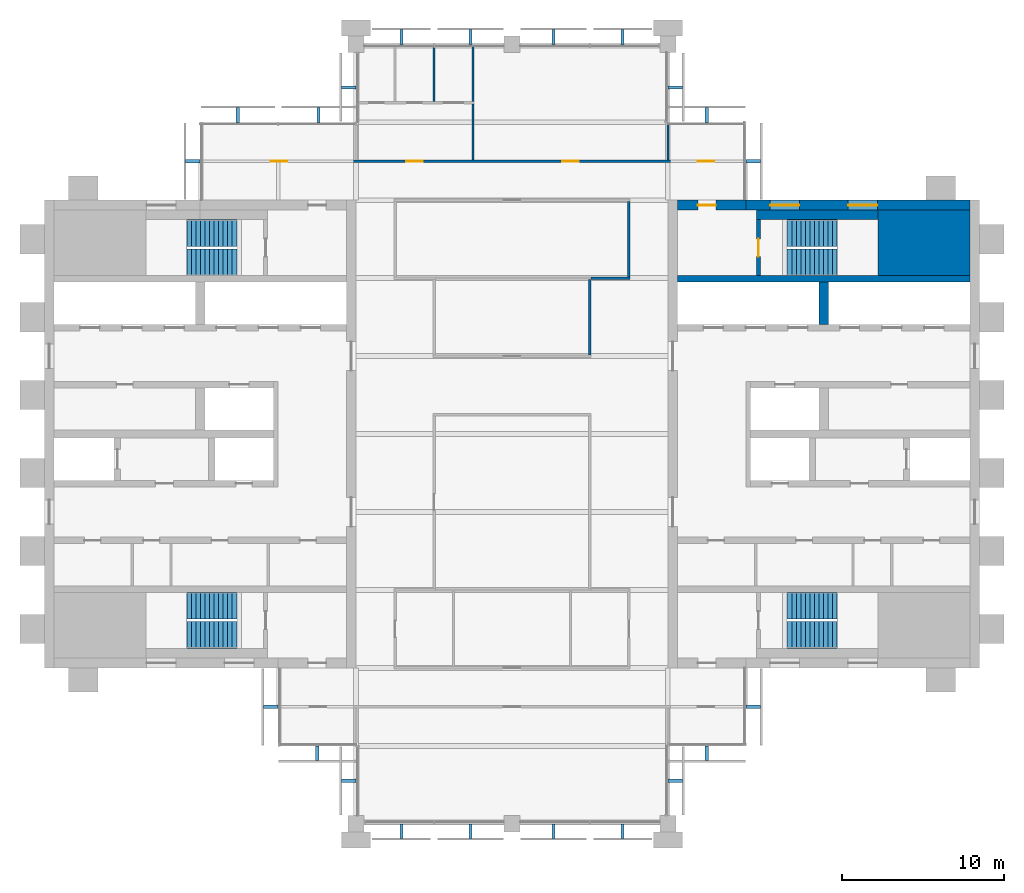
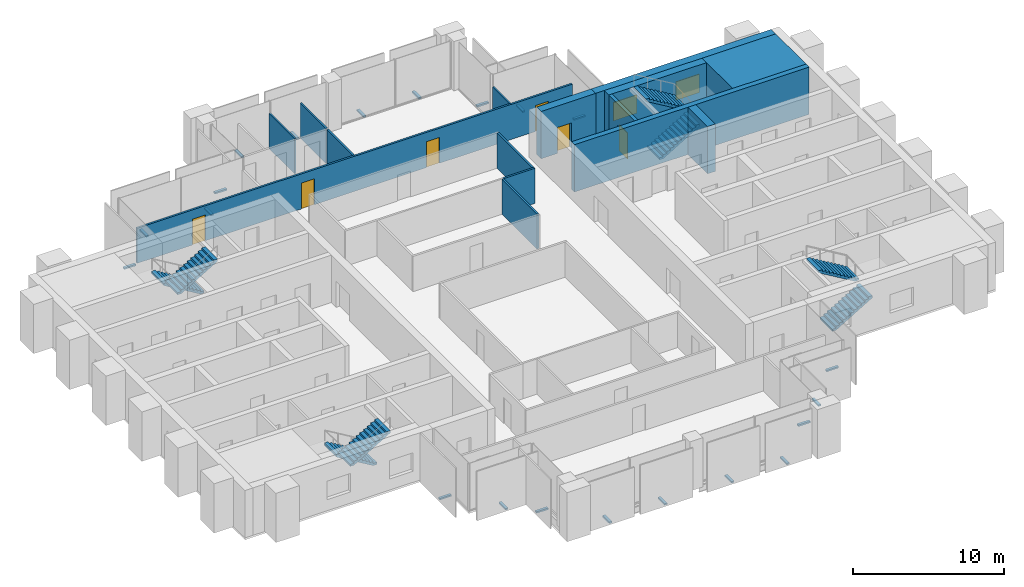
# One storey, part 11 of 12: 21 discrete accessories, 15 walls, 8 stair flights, 6 doors, 2 windows, 8 openings, 4 elements without a shape of their own.
"""IFC4 building model written with IfcOpenShell, lengths in metres."""

from ifc_helpers import new_model, si_unit, direction, frame, frame_2d, origin, origin_2d, place, context, subcontext, project, spatial, polyline, rectangle, outline, extrude, material, layer, layer_set, type_object, element, fill, aggregate, save


model = new_model("IFC4")

# Units and contexts
model_context = context("Model", 3, precision=1e-05, world=origin(), true_north=direction((0.0, 1.0)))
body_context = subcontext(model_context, "Body", "Model", "MODEL_VIEW")
ifc_project = project(units=[si_unit("LENGTHUNIT", "METRE"), si_unit("AREAUNIT", "SQUARE_METRE"), si_unit("VOLUMEUNIT", "CUBIC_METRE"), si_unit("PLANEANGLEUNIT", "RADIAN"), si_unit("MASSUNIT", "GRAM", prefix="KILO")], contexts=[model_context])

# Site, building, storey
site_placement = place(None, origin())
site = spatial("IfcSite", under=ifc_project, at=site_placement, CompositionType="ELEMENT")
building_placement = place(site_placement, origin())
building = spatial("IfcBuilding", under=site, at=building_placement, Name="Baori Bourse Tower", CompositionType="ELEMENT")
storey_placement = place(building_placement, frame((0.0, 0.0, 286.300048828125)))
storey = spatial("IfcBuildingStorey", under=building, at=storey_placement, Name="L62", CompositionType="ELEMENT", Elevation=286.300048828125)

# Wall
ifc_material_1 = material(Name="Concrete f'c 40 MPa", Category="concrete")
wall_type_1 = type_object("IfcWallType", Name="Core corner block f'c 40", PredefinedType="SHEAR", material=ifc_material_1)
wall_1_placement = place(storey_placement, frame((51.35009765625, 35.77490234375, 0.0), z_axis=(0.0, 0.0, 1.0), x_axis=(1.0, 0.0, 0.0)))
element("IfcWall", 1, at=wall_1_placement, inside=storey, type_object=wall_type_1, Name="Core wall E23", PredefinedType="SHEAR", context=body_context, shape_type="SweptSolid", body=[
    extrude(rectangle(XDim=5.64990234375, YDim=4.050048828125, at=frame_2d((2.824951171875, 0.0))), origin(), (0.0, 0.0, 1.0), 3.83984375),
])

# Wall, openings, windows
ifc_material_2 = material(Name="Concrete f'c 40 MPa", Category="concrete")
ifc_layer_1 = layer(ifc_material_2, 0.60009765625)
ifc_layer_set_1 = layer_set([ifc_layer_1], Name="Core wall 600 f'c 40")
wall_type_2 = type_object("IfcWallType", Name="Core wall 600 f'c 40", PredefinedType="SHEAR", material=ifc_layer_set_1)
wall_2_placement = place(storey_placement, frame((43.199951171875, 38.10009765625, 0.0), z_axis=(0.0, 0.0, 1.0), x_axis=(1.0, 0.0, 0.0)))
wall_2 = element("IfcWall", 2, at=wall_2_placement, inside=storey, type_object=wall_type_2, Name="Core wall E26", PredefinedType="SHEAR", context=body_context, shape_type="SweptSolid", body=[
    extrude(rectangle(XDim=13.800048828125, YDim=0.60009765625, at=frame_2d((6.89990234375, 0.0))), origin(), (0.0, 0.0, 1.0), 3.83984375),
])
opening_1_placement = place(wall_2_placement, frame((6.300048828125, 0.0, 0.89990234375)))
opening_1 = element("IfcOpeningElement", 3, at=opening_1_placement, cuts=wall_2, Name="Opening L62-KW205", PredefinedType="OPENING", context=body_context, shape_type="SweptSolid", body=[
    extrude(rectangle(XDim=1.800048828125, YDim=1.5, at=frame_2d((0.89990234375, 0.75))), frame((0.0, 0.31005859375, 0.0), z_axis=(0.0, -1.0, 0.0), x_axis=(1.0, 0.0, 0.0)), (0.0, 0.0, 1.0), 0.6201171875),
])
opening_2_placement = place(wall_2_placement, frame((1.5, 0.0, 0.89990234375)))
opening_2 = element("IfcOpeningElement", 4, at=opening_2_placement, cuts=wall_2, Name="Opening L62-KW206", PredefinedType="OPENING", context=body_context, shape_type="SweptSolid", body=[
    extrude(rectangle(XDim=1.800048828125, YDim=1.5, at=frame_2d((0.89990234375, 0.75))), frame((0.0, 0.31005859375, 0.0), z_axis=(0.0, -1.0, 0.0), x_axis=(1.0, 0.0, 0.0)), (0.0, 0.0, 1.0), 0.6201171875),
])
ifc_material_3 = material(Name="Pale anodised aluminium", Category="aluminium")
window_type = type_object("IfcWindowType", Name="Stair window 1800 x 1500", PartitioningType="SINGLE_PANEL", PredefinedType="WINDOW", material=ifc_material_3)
window_1_placement = place(opening_1_placement, origin())
window_1 = element("IfcWindow", 5, at=window_1_placement, inside=storey, type_object=window_type, Name="Stair window E L62 5", OverallHeight=1.5, OverallWidth=1.800048828125, PartitioningType="SINGLE_PANEL", PredefinedType="WINDOW", context=body_context, shape_type="SweptSolid", body=[
    extrude(rectangle(XDim=1.800048828125, YDim=1.5, at=frame_2d((0.89990234375, 0.75))), frame((0.0, 0.030029296875, 0.0), z_axis=(0.0, -1.0, 0.0), x_axis=(1.0, 0.0, 0.0)), (0.0, 0.0, 1.0), 0.06005859375),
])
fill(opening_1, window_1)
window_2_placement = place(opening_2_placement, origin())
window_2 = element("IfcWindow", 6, at=window_2_placement, inside=storey, type_object=window_type, Name="Stair window E L62 6", OverallHeight=1.5, OverallWidth=1.800048828125, PartitioningType="SINGLE_PANEL", PredefinedType="WINDOW", context=body_context, shape_type="SweptSolid", body=[
    extrude(rectangle(XDim=1.800048828125, YDim=1.5, at=frame_2d((0.89990234375, 0.75))), frame((0.0, 0.030029296875, 0.0), z_axis=(0.0, -1.0, 0.0), x_axis=(1.0, 0.0, 0.0)), (0.0, 0.0, 1.0), 0.06005859375),
])
fill(opening_2, window_2)

# Wall, opening, door
wall_3_placement = place(storey_placement, frame((39.0, 38.10009765625, 0.0), z_axis=(0.0, 0.0, 1.0), x_axis=(1.0, 0.0, 0.0)))
wall_3 = element("IfcWall", 7, at=wall_3_placement, inside=storey, type_object=wall_type_2, Name="Core wall E27", PredefinedType="SHEAR", context=body_context, shape_type="SweptSolid", body=[
    extrude(rectangle(XDim=4.199951171875, YDim=0.60009765625, at=frame_2d((2.10009765625, 0.0))), origin(), (0.0, 0.0, 1.0), 3.83984375),
])
opening_3_placement = place(wall_3_placement, frame((1.25, 0.0, 0.0)))
opening_3 = element("IfcOpeningElement", 8, at=opening_3_placement, cuts=wall_3, Name="Opening L62-D204", PredefinedType="OPENING", context=body_context, shape_type="SweptSolid", body=[
    extrude(rectangle(XDim=1.10009765625, YDim=2.10009765625, at=frame_2d((0.550048828125, 1.050048828125))), frame((0.0, 0.31005859375, 0.0), z_axis=(0.0, -1.0, 0.0), x_axis=(1.0, 0.0, 0.0)), (0.0, 0.0, 1.0), 0.6201171875),
])
ifc_material_4 = material(Name="Painted steel door", Category="steel")
door_type_1 = type_object("IfcDoorType", Name="Stair door 1100", OperationType="SINGLE_SWING_LEFT", PredefinedType="DOOR", material=ifc_material_4)
door_1_placement = place(opening_3_placement, origin())
door_1 = element("IfcDoor", 9, at=door_1_placement, inside=storey, type_object=door_type_1, Name="Stair vestibule door B E L62", OperationType="SINGLE_SWING_LEFT", OverallHeight=2.10009765625, OverallWidth=1.10009765625, PredefinedType="DOOR", context=body_context, shape_type="SweptSolid", body=[
    extrude(rectangle(XDim=1.10009765625, YDim=2.10009765625, at=frame_2d((0.550048828125, 1.050048828125))), frame((0.0, 0.02490234375, 0.0), z_axis=(0.0, -1.0, 0.0), x_axis=(1.0, 0.0, 0.0)), (0.0, 0.0, 1.0), 0.050048828125),
])
fill(opening_3, door_1)

# Wall
ifc_material_5 = material(Name="Gypsum board partition")
ifc_layer_2 = layer(ifc_material_5, 0.14990234375)
ifc_layer_set_2 = layer_set([ifc_layer_2], Name="Corridor partition 150")
wall_type_3 = type_object("IfcWallType", Name="Corridor partition 150", PredefinedType="PARTITIONING", material=ifc_layer_set_2)
wall_4_placement = place(storey_placement, frame((33.675048828125, 33.60009765625, 0.0), z_axis=(0.0, 0.0, 1.0), x_axis=(1.0, 0.0, 0.0)))
element("IfcWall", 10, at=wall_4_placement, inside=storey, type_object=wall_type_3, Name="Partition", PredefinedType="PARTITIONING", context=body_context, shape_type="SweptSolid", body=[
    extrude(rectangle(XDim=2.39990234375, YDim=0.14990234375, at=frame_2d((1.199951171875, 0.0))), origin(), (0.0, 0.0, 1.0), 2.849365234375),
])

# Wall, openings, doors
wall_5_placement = place(storey_placement, frame((9.699951171875, 40.800048828125, 0.0), z_axis=(0.0, 0.0, 1.0), x_axis=(1.0, 0.0, 0.0)))
wall_5 = element("IfcWall", 11, at=wall_5_placement, inside=storey, type_object=wall_type_3, Name="Partition", PredefinedType="PARTITIONING", context=body_context, shape_type="SweptSolid", body=[
    extrude(rectangle(XDim=33.400146484375, YDim=0.14990234375, at=frame_2d((16.7001953125, 0.0))), origin(), (0.0, 0.0, 1.0), 2.849365234375),
])
opening_4_placement = place(wall_5_placement, frame((4.25, 0.0, 0.0)))
opening_4 = element("IfcOpeningElement", 12, at=opening_4_placement, cuts=wall_5, Name="Opening L62-D07", PredefinedType="OPENING", context=body_context, shape_type="SweptSolid", body=[
    extrude(rectangle(XDim=1.0, YDim=2.10009765625, at=frame_2d((0.5, 1.050048828125))), frame((0.0, 0.0849609375, 0.0), z_axis=(0.0, -1.0, 0.0), x_axis=(1.0, 0.0, 0.0)), (0.0, 0.0, 1.0), 0.169921875),
])
opening_5_placement = place(wall_5_placement, frame((12.60009765625, 0.0, 0.0)))
opening_5 = element("IfcOpeningElement", 13, at=opening_5_placement, cuts=wall_5, Name="Opening L62-D08", PredefinedType="OPENING", context=body_context, shape_type="SweptSolid", body=[
    extrude(rectangle(XDim=1.0, YDim=2.10009765625, at=frame_2d((0.5, 1.050048828125))), frame((0.0, 0.0849609375, 0.0), z_axis=(0.0, -1.0, 0.0), x_axis=(1.0, 0.0, 0.0)), (0.0, 0.0, 1.0), 0.169921875),
])
opening_6_placement = place(wall_5_placement, frame((22.199951171875, 0.0, 0.0)))
opening_6 = element("IfcOpeningElement", 14, at=opening_6_placement, cuts=wall_5, Name="Opening L62-D09", PredefinedType="OPENING", context=body_context, shape_type="SweptSolid", body=[
    extrude(rectangle(XDim=1.0, YDim=2.10009765625, at=frame_2d((0.5, 1.050048828125))), frame((0.0, 0.0849609375, 0.0), z_axis=(0.0, -1.0, 0.0), x_axis=(1.0, 0.0, 0.0)), (0.0, 0.0, 1.0), 0.169921875),
])
opening_7_placement = place(wall_5_placement, frame((30.550048828125, 0.0, 0.0)))
opening_7 = element("IfcOpeningElement", 15, at=opening_7_placement, cuts=wall_5, Name="Opening L62-D10", PredefinedType="OPENING", context=body_context, shape_type="SweptSolid", body=[
    extrude(rectangle(XDim=1.0, YDim=2.10009765625, at=frame_2d((0.5, 1.050048828125))), frame((0.0, 0.0849609375, 0.0), z_axis=(0.0, -1.0, 0.0), x_axis=(1.0, 0.0, 0.0)), (0.0, 0.0, 1.0), 0.169921875),
])
ifc_material_6 = material(Name="Timber door leaf", Category="wood")
door_type_2 = type_object("IfcDoorType", Name="Door 1000 x 2100", OperationType="SINGLE_SWING_LEFT", PredefinedType="DOOR", material=ifc_material_6)
door_2_placement = place(opening_4_placement, origin())
door_2 = element("IfcDoor", 16, at=door_2_placement, inside=storey, type_object=door_type_2, Name="Door", OperationType="SINGLE_SWING_RIGHT", OverallHeight=2.10009765625, OverallWidth=1.0, PredefinedType="DOOR", context=body_context, shape_type="SweptSolid", body=[
    extrude(rectangle(XDim=1.0, YDim=2.10009765625, at=frame_2d((0.5, 1.050048828125))), frame((0.0, 0.02490234375, 0.0), z_axis=(0.0, -1.0, 0.0), x_axis=(1.0, 0.0, 0.0)), (0.0, 0.0, 1.0), 0.050048828125),
])
fill(opening_4, door_2)
door_3_placement = place(opening_5_placement, origin())
door_3 = element("IfcDoor", 17, at=door_3_placement, inside=storey, type_object=door_type_2, Name="Door", OperationType="SINGLE_SWING_LEFT", OverallHeight=2.10009765625, OverallWidth=1.0, PredefinedType="DOOR", context=body_context, shape_type="SweptSolid", body=[
    extrude(rectangle(XDim=1.0, YDim=2.10009765625, at=frame_2d((0.5, 1.050048828125))), frame((0.0, 0.02490234375, 0.0), z_axis=(0.0, -1.0, 0.0), x_axis=(1.0, 0.0, 0.0)), (0.0, 0.0, 1.0), 0.050048828125),
])
fill(opening_5, door_3)
door_4_placement = place(opening_6_placement, origin())
door_4 = element("IfcDoor", 18, at=door_4_placement, inside=storey, type_object=door_type_2, Name="Door", OperationType="SINGLE_SWING_LEFT", OverallHeight=2.10009765625, OverallWidth=1.0, PredefinedType="DOOR", context=body_context, shape_type="SweptSolid", body=[
    extrude(rectangle(XDim=1.0, YDim=2.10009765625, at=frame_2d((0.5, 1.050048828125))), frame((0.0, 0.02490234375, 0.0), z_axis=(0.0, -1.0, 0.0), x_axis=(1.0, 0.0, 0.0)), (0.0, 0.0, 1.0), 0.050048828125),
])
fill(opening_6, door_4)
door_5_placement = place(opening_7_placement, origin())
door_5 = element("IfcDoor", 19, at=door_5_placement, inside=storey, type_object=door_type_2, Name="Door", OperationType="SINGLE_SWING_LEFT", OverallHeight=2.10009765625, OverallWidth=1.0, PredefinedType="DOOR", context=body_context, shape_type="SweptSolid", body=[
    extrude(rectangle(XDim=1.0, YDim=2.10009765625, at=frame_2d((0.5, 1.050048828125))), frame((0.0, 0.02490234375, 0.0), z_axis=(0.0, -1.0, 0.0), x_axis=(1.0, 0.0, 0.0)), (0.0, 0.0, 1.0), 0.050048828125),
])
fill(opening_7, door_5)

# Walls
wall_6_placement = place(storey_placement, frame((26.39990234375, 40.875, 0.0), z_axis=(0.0, 0.0, 1.0), x_axis=(0.0, 1.0, 0.0)))
element("IfcWall", 20, at=wall_6_placement, inside=storey, type_object=wall_type_3, Name="Partition", PredefinedType="PARTITIONING", context=body_context, shape_type="SweptSolid", body=[
    extrude(rectangle(XDim=3.449951171875, YDim=0.14990234375, at=frame_2d((1.72509765625, 0.0))), origin(), (0.0, 0.0, 1.0), 2.849365234375),
])
for number, where, z_axis, x_axis, name in (
    (21, (33.60009765625, 28.875, 0.0), (0.0, 0.0, 1.0), (0.0, 1.0, 0.0), "Partition"),
    (22, (36.0, 33.675048828125, 0.0), (0.0, 0.0, 1.0), (0.0, 1.0, 0.0), "Partition"),
):
    element("IfcWall", number, at=place(storey_placement, frame(where, z_axis=z_axis, x_axis=x_axis)), inside=storey, type_object=wall_type_3, Name=name, PredefinedType="PARTITIONING", context=body_context, shape_type="SweptSolid", body=[
        extrude(rectangle(XDim=4.64990234375, YDim=0.14990234375, at=frame_2d((2.324951171875, 0.0))), origin(), (0.0, 0.0, 1.0), 2.849365234375),
    ])
ifc_material_7 = material(Name="Gypsum board partition")
ifc_layer_3 = layer(ifc_material_7, 0.125)
ifc_layer_set_3 = layer_set([ifc_layer_3], Name="Partition 125")
wall_type_4 = type_object("IfcWallType", Name="Partition 125", PredefinedType="PARTITIONING", material=ifc_layer_set_3)
for number, where, z_axis, x_axis, name in (
    (23, (24.0, 44.47509765625, 0.0), (0.0, 0.0, 1.0), (0.0, 1.0, 0.0), "Partition"),
    (24, (26.39990234375, 44.47509765625, 0.0), (0.0, 0.0, 1.0), (0.0, 1.0, 0.0), "Partition"),
):
    element("IfcWall", number, at=place(storey_placement, frame(where, z_axis=z_axis, x_axis=x_axis)), inside=storey, type_object=wall_type_4, Name=name, PredefinedType="PARTITIONING", context=body_context, shape_type="SweptSolid", body=[
        extrude(rectangle(XDim=3.4248046875, YDim=0.125, at=frame_2d((1.71240234375, 0.0))), origin(), (0.0, 0.0, 1.0), 2.849365234375),
    ])
wall_7_placement = place(storey_placement, frame((38.39990234375, 40.875, 0.0), z_axis=(0.0, 0.0, 1.0), x_axis=(0.0, 1.0, 0.0)))
element("IfcWall", 25, at=wall_7_placement, inside=storey, type_object=wall_type_4, Name="Partition", PredefinedType="PARTITIONING", context=body_context, shape_type="SweptSolid", body=[
    extrude(rectangle(XDim=2.22509765625, YDim=0.125, at=frame_2d((1.112548828125, 0.0))), origin(), (0.0, 0.0, 1.0), 2.849365234375),
])

# Wall, opening, door
ifc_material_8 = material(Name="Concrete f'c 40 MPa", Category="concrete")
ifc_layer_4 = layer(ifc_material_8, 0.25)
ifc_layer_set_4 = layer_set([ifc_layer_4], Name="Shaft wall 250 f'c 40")
wall_type_5 = type_object("IfcWallType", Name="Shaft wall 250 f'c 40", PredefinedType="SHEAR", material=ifc_layer_set_4)
wall_8_placement = place(storey_placement, frame((43.97509765625, 33.75, 0.0), z_axis=(0.0, 0.0, 1.0), x_axis=(0.0, 1.0, 0.0)))
wall_8 = element("IfcWall", 26, at=wall_8_placement, inside=storey, type_object=wall_type_5, Name="Core wall E24", PredefinedType="SHEAR", context=body_context, shape_type="SweptSolid", body=[
    extrude(rectangle(XDim=3.449951171875, YDim=0.25, at=frame_2d((1.72509765625, 0.0))), origin(), (0.0, 0.0, 1.0), 3.83984375),
])
opening_8_placement = place(wall_8_placement, frame((1.175048828125, 0.0, 0.0)))
opening_8 = element("IfcOpeningElement", 27, at=opening_8_placement, cuts=wall_8, Name="Opening L62-D203", PredefinedType="OPENING", context=body_context, shape_type="SweptSolid", body=[
    extrude(rectangle(XDim=1.10009765625, YDim=2.10009765625, at=frame_2d((0.550048828125, 1.050048828125))), frame((0.0, 0.135009765625, 0.0), z_axis=(0.0, -1.0, 0.0), x_axis=(1.0, 0.0, 0.0)), (0.0, 0.0, 1.0), 0.27001953125),
])
door_6_placement = place(opening_8_placement, origin())
door_6 = element("IfcDoor", 28, at=door_6_placement, inside=storey, type_object=door_type_1, Name="Stair door B E L62", OperationType="SINGLE_SWING_LEFT", OverallHeight=2.10009765625, OverallWidth=1.10009765625, PredefinedType="DOOR", context=body_context, shape_type="SweptSolid", body=[
    extrude(rectangle(XDim=1.10009765625, YDim=2.10009765625, at=frame_2d((0.550048828125, 1.050048828125))), frame((0.0, 0.02490234375, 0.0), z_axis=(0.0, -1.0, 0.0), x_axis=(1.0, 0.0, 0.0)), (0.0, 0.0, 1.0), 0.050048828125),
])
fill(opening_8, door_6)

# Walls
ifc_material_9 = material(Name="Concrete f'c 40 MPa", Category="concrete")
ifc_layer_5 = layer(ifc_material_9, 0.39990234375)
ifc_layer_set_5 = layer_set([ifc_layer_5], Name="Shaft wall 400 f'c 40")
wall_type_6 = type_object("IfcWallType", Name="Shaft wall 400 f'c 40", PredefinedType="SHEAR", material=ifc_layer_set_5)
wall_9_placement = place(storey_placement, frame((39.0, 33.550048828125, 0.0), z_axis=(0.0, 0.0, 1.0), x_axis=(1.0, 0.0, 0.0)))
element("IfcWall", 29, at=wall_9_placement, inside=storey, type_object=wall_type_6, Name="Core wall E22", PredefinedType="SHEAR", context=body_context, shape_type="SweptSolid", body=[
    extrude(rectangle(XDim=18.0, YDim=0.39990234375, at=frame_2d((9.0, 0.0))), origin(), (0.0, 0.0, 1.0), 3.83984375),
])
ifc_material_10 = material(Name="Concrete f'c 40 MPa", Category="concrete")
ifc_layer_6 = layer(ifc_material_10, 0.60009765625)
ifc_layer_set_6 = layer_set([ifc_layer_6], Name="Shaft wall 600 f'c 40")
wall_type_7 = type_object("IfcWallType", Name="Shaft wall 600 f'c 40", PredefinedType="SHEAR", material=ifc_layer_set_6)
wall_10_placement = place(storey_placement, frame((48.0, 30.75, 0.0), z_axis=(0.0, 0.0, 1.0), x_axis=(0.0, 1.0, 0.0)))
element("IfcWall", 30, at=wall_10_placement, inside=storey, type_object=wall_type_7, Name="Core wall E21", PredefinedType="SHEAR", context=body_context, shape_type="SweptSolid", body=[
    extrude(rectangle(XDim=2.60009765625, YDim=0.60009765625, at=frame_2d((1.300048828125, 0.0))), origin(), (0.0, 0.0, 1.0), 3.83984375),
])
wall_11_placement = place(storey_placement, frame((43.85009765625, 37.5, 0.0), z_axis=(0.0, 0.0, 1.0), x_axis=(1.0, 0.0, 0.0)))
element("IfcWall", 31, at=wall_11_placement, inside=storey, type_object=wall_type_7, Name="Core wall E25", PredefinedType="SHEAR", context=body_context, shape_type="SweptSolid", body=[
    extrude(rectangle(XDim=7.5, YDim=0.60009765625, at=frame_2d((3.75, 0.0))), origin(), (0.0, 0.0, 1.0), 3.83984375),
])

# Stair, stair flights
ifc_material_11 = material(Name="Concrete f'c 50 MPa", Category="concrete")
stair_type = type_object("IfcStairType", Name="Core stair", PredefinedType="HALF_TURN_STAIR", material=ifc_material_11)
stair_1_placement = place(storey_placement, origin())
stair_1 = element("IfcStair", 32, at=stair_1_placement, inside=storey, type_object=stair_type, Name="L62 Stair WA", PredefinedType="HALF_TURN_STAIR")
ifc_material_12 = material(Name="Concrete f'c 50 MPa", Category="concrete")
stair_flight_type = type_object("IfcStairFlightType", Name="Core stair flight", PredefinedType="STRAIGHT", material=ifc_material_12)
stair_flight_1_placement = place(storey_placement, frame((11.85009765625, 13.425048828125, 0.0), z_axis=(0.0, 0.0, 1.0), x_axis=(-1.0, 0.0, 0.0)))
stair_flight_1 = element("IfcStairFlight", 33, at=stair_flight_1_placement, type_object=stair_flight_type, Name="ST1 flight 1", NumberOfRisers=12, NumberOfTreads=11, PredefinedType="STRAIGHT", RiserHeight=0.166666667, TreadLength=0.28, context=body_context, shape_type="SweptSolid", body=[
    extrude(outline(polyline([(0.0, 0.0), (0.0, 0.166748046875), (0.280029296875, 0.166748046875), (0.280029296875, 0.333251953125), (0.56005859375, 0.333251953125), (0.56005859375, 0.5), (0.840087890625, 0.5), (0.840087890625, 0.666748046875), (1.1201171875, 0.666748046875), (1.1201171875, 0.833251953125), (1.39990234375, 0.833251953125), (1.39990234375, 1.0), (1.679931640625, 1.0), (1.679931640625, 1.166748046875), (1.9599609375, 1.166748046875), (1.9599609375, 1.333251953125), (2.239990234375, 1.333251953125), (2.239990234375, 1.5), (2.52001953125, 1.5), (2.52001953125, 1.666748046875), (2.800048828125, 1.666748046875), (2.800048828125, 1.833251953125), (3.080078125, 1.833251953125), (3.080078125, 2.0), (3.080078125, 1.658935546875), (0.29296875, 0.0), (0.0, 0.0)])), frame((0.0, 0.824951171875, 0.0), z_axis=(0.0, -1.0, 0.0), x_axis=(1.0, 0.0, 0.0)), (0.0, 0.0, 1.0), 1.64990234375),
])
stair_flight_2_placement = place(storey_placement, frame((8.77001953125, 11.625, 2.0), z_axis=(0.0, 0.0, 1.0), x_axis=(1.0, 0.0, 0.0)))
stair_flight_2 = element("IfcStairFlight", 34, at=stair_flight_2_placement, type_object=stair_flight_type, Name="ST1 flight 2", NumberOfRisers=12, NumberOfTreads=11, PredefinedType="STRAIGHT", RiserHeight=0.166666667, TreadLength=0.28, context=body_context, shape_type="SweptSolid", body=[
    extrude(outline(polyline([(0.0, 0.0), (0.0, 0.166748046875), (0.280029296875, 0.166748046875), (0.280029296875, 0.333251953125), (0.56005859375, 0.333251953125), (0.56005859375, 0.5), (0.840087890625, 0.5), (0.840087890625, 0.666748046875), (1.1201171875, 0.666748046875), (1.1201171875, 0.833251953125), (1.39990234375, 0.833251953125), (1.39990234375, 1.0), (1.679931640625, 1.0), (1.679931640625, 1.166748046875), (1.9599609375, 1.166748046875), (1.9599609375, 1.333251953125), (2.239990234375, 1.333251953125), (2.239990234375, 1.5), (2.52001953125, 1.5), (2.52001953125, 1.666748046875), (2.800048828125, 1.666748046875), (2.800048828125, 1.833251953125), (3.080078125, 1.833251953125), (3.080078125, 2.0), (3.080078125, 1.658935546875), (0.29296875, 0.0), (0.0, 0.0)])), frame((0.0, 0.824951171875, 0.0), z_axis=(0.0, -1.0, 0.0), x_axis=(1.0, 0.0, 0.0)), (0.0, 0.0, 1.0), 1.64990234375),
])
aggregate(stair_1, [stair_flight_1, stair_flight_2])

stair_2_placement = place(storey_placement, origin())
stair_2 = element("IfcStair", 35, at=stair_2_placement, inside=storey, type_object=stair_type, Name="L62 Stair WB", PredefinedType="HALF_TURN_STAIR")
stair_flight_3_placement = place(storey_placement, frame((11.85009765625, 36.375, 0.0), z_axis=(0.0, 0.0, 1.0), x_axis=(-1.0, 0.0, 0.0)))
stair_flight_3 = element("IfcStairFlight", 36, at=stair_flight_3_placement, type_object=stair_flight_type, Name="ST2 flight 1", NumberOfRisers=12, NumberOfTreads=11, PredefinedType="STRAIGHT", RiserHeight=0.166666667, TreadLength=0.28, context=body_context, shape_type="SweptSolid", body=[
    extrude(outline(polyline([(0.0, 0.0), (0.0, 0.166748046875), (0.280029296875, 0.166748046875), (0.280029296875, 0.333251953125), (0.56005859375, 0.333251953125), (0.56005859375, 0.5), (0.840087890625, 0.5), (0.840087890625, 0.666748046875), (1.1201171875, 0.666748046875), (1.1201171875, 0.833251953125), (1.39990234375, 0.833251953125), (1.39990234375, 1.0), (1.679931640625, 1.0), (1.679931640625, 1.166748046875), (1.9599609375, 1.166748046875), (1.9599609375, 1.333251953125), (2.239990234375, 1.333251953125), (2.239990234375, 1.5), (2.52001953125, 1.5), (2.52001953125, 1.666748046875), (2.800048828125, 1.666748046875), (2.800048828125, 1.833251953125), (3.080078125, 1.833251953125), (3.080078125, 2.0), (3.080078125, 1.658935546875), (0.29296875, 0.0), (0.0, 0.0)])), frame((0.0, 0.824951171875, 0.0), z_axis=(0.0, -1.0, 0.0), x_axis=(1.0, 0.0, 0.0)), (0.0, 0.0, 1.0), 1.64990234375),
])
stair_flight_4_placement = place(storey_placement, frame((8.77001953125, 34.574951171875, 2.0), z_axis=(0.0, 0.0, 1.0), x_axis=(1.0, 0.0, 0.0)))
stair_flight_4 = element("IfcStairFlight", 37, at=stair_flight_4_placement, type_object=stair_flight_type, Name="ST2 flight 2", NumberOfRisers=12, NumberOfTreads=11, PredefinedType="STRAIGHT", RiserHeight=0.166666667, TreadLength=0.28, context=body_context, shape_type="SweptSolid", body=[
    extrude(outline(polyline([(0.0, 0.0), (0.0, 0.166748046875), (0.280029296875, 0.166748046875), (0.280029296875, 0.333251953125), (0.56005859375, 0.333251953125), (0.56005859375, 0.5), (0.840087890625, 0.5), (0.840087890625, 0.666748046875), (1.1201171875, 0.666748046875), (1.1201171875, 0.833251953125), (1.39990234375, 0.833251953125), (1.39990234375, 1.0), (1.679931640625, 1.0), (1.679931640625, 1.166748046875), (1.9599609375, 1.166748046875), (1.9599609375, 1.333251953125), (2.239990234375, 1.333251953125), (2.239990234375, 1.5), (2.52001953125, 1.5), (2.52001953125, 1.666748046875), (2.800048828125, 1.666748046875), (2.800048828125, 1.833251953125), (3.080078125, 1.833251953125), (3.080078125, 2.0), (3.080078125, 1.658935546875), (0.29296875, 0.0), (0.0, 0.0)])), frame((0.0, 0.824951171875, 0.0), z_axis=(0.0, -1.0, 0.0), x_axis=(1.0, 0.0, 0.0)), (0.0, 0.0, 1.0), 1.64990234375),
])
aggregate(stair_2, [stair_flight_3, stair_flight_4])

stair_3_placement = place(storey_placement, origin())
stair_3 = element("IfcStair", 38, at=stair_3_placement, inside=storey, type_object=stair_type, Name="L62 Stair EA", PredefinedType="HALF_TURN_STAIR")
stair_flight_5_placement = place(storey_placement, frame((45.75, 11.625, 0.0), z_axis=(0.0, 0.0, 1.0), x_axis=(1.0, 0.0, 0.0)))
stair_flight_5 = element("IfcStairFlight", 39, at=stair_flight_5_placement, type_object=stair_flight_type, Name="ST3 flight 1", NumberOfRisers=12, NumberOfTreads=11, PredefinedType="STRAIGHT", RiserHeight=0.166666667, TreadLength=0.28, context=body_context, shape_type="SweptSolid", body=[
    extrude(outline(polyline([(0.0, 0.0), (0.0, 0.166748046875), (0.280029296875, 0.166748046875), (0.280029296875, 0.333251953125), (0.56005859375, 0.333251953125), (0.56005859375, 0.5), (0.840087890625, 0.5), (0.840087890625, 0.666748046875), (1.1201171875, 0.666748046875), (1.1201171875, 0.833251953125), (1.39990234375, 0.833251953125), (1.39990234375, 1.0), (1.679931640625, 1.0), (1.679931640625, 1.166748046875), (1.9599609375, 1.166748046875), (1.9599609375, 1.333251953125), (2.239990234375, 1.333251953125), (2.239990234375, 1.5), (2.52001953125, 1.5), (2.52001953125, 1.666748046875), (2.800048828125, 1.666748046875), (2.800048828125, 1.833251953125), (3.080078125, 1.833251953125), (3.080078125, 2.0), (3.080078125, 1.658935546875), (0.29296875, 0.0), (0.0, 0.0)])), frame((0.0, 0.824951171875, 0.0), z_axis=(0.0, -1.0, 0.0), x_axis=(1.0, 0.0, 0.0)), (0.0, 0.0, 1.0), 1.64990234375),
])
stair_flight_6_placement = place(storey_placement, frame((48.830078125, 13.425048828125, 2.0), z_axis=(0.0, 0.0, 1.0), x_axis=(-1.0, 0.0, 0.0)))
stair_flight_6 = element("IfcStairFlight", 40, at=stair_flight_6_placement, type_object=stair_flight_type, Name="ST3 flight 2", NumberOfRisers=12, NumberOfTreads=11, PredefinedType="STRAIGHT", RiserHeight=0.166666667, TreadLength=0.28, context=body_context, shape_type="SweptSolid", body=[
    extrude(outline(polyline([(0.0, 0.0), (0.0, 0.166748046875), (0.280029296875, 0.166748046875), (0.280029296875, 0.333251953125), (0.56005859375, 0.333251953125), (0.56005859375, 0.5), (0.840087890625, 0.5), (0.840087890625, 0.666748046875), (1.1201171875, 0.666748046875), (1.1201171875, 0.833251953125), (1.39990234375, 0.833251953125), (1.39990234375, 1.0), (1.679931640625, 1.0), (1.679931640625, 1.166748046875), (1.9599609375, 1.166748046875), (1.9599609375, 1.333251953125), (2.239990234375, 1.333251953125), (2.239990234375, 1.5), (2.52001953125, 1.5), (2.52001953125, 1.666748046875), (2.800048828125, 1.666748046875), (2.800048828125, 1.833251953125), (3.080078125, 1.833251953125), (3.080078125, 2.0), (3.080078125, 1.658935546875), (0.29296875, 0.0), (0.0, 0.0)])), frame((0.0, 0.824951171875, 0.0), z_axis=(0.0, -1.0, 0.0), x_axis=(1.0, 0.0, 0.0)), (0.0, 0.0, 1.0), 1.64990234375),
])
aggregate(stair_3, [stair_flight_5, stair_flight_6])

stair_4_placement = place(storey_placement, origin())
stair_4 = element("IfcStair", 41, at=stair_4_placement, inside=storey, type_object=stair_type, Name="L62 Stair EB", PredefinedType="HALF_TURN_STAIR")
stair_flight_7_placement = place(storey_placement, frame((45.75, 34.574951171875, 0.0), z_axis=(0.0, 0.0, 1.0), x_axis=(1.0, 0.0, 0.0)))
stair_flight_7 = element("IfcStairFlight", 42, at=stair_flight_7_placement, type_object=stair_flight_type, Name="ST4 flight 1", NumberOfRisers=12, NumberOfTreads=11, PredefinedType="STRAIGHT", RiserHeight=0.166666667, TreadLength=0.28, context=body_context, shape_type="SweptSolid", body=[
    extrude(outline(polyline([(0.0, 0.0), (0.0, 0.166748046875), (0.280029296875, 0.166748046875), (0.280029296875, 0.333251953125), (0.56005859375, 0.333251953125), (0.56005859375, 0.5), (0.840087890625, 0.5), (0.840087890625, 0.666748046875), (1.1201171875, 0.666748046875), (1.1201171875, 0.833251953125), (1.39990234375, 0.833251953125), (1.39990234375, 1.0), (1.679931640625, 1.0), (1.679931640625, 1.166748046875), (1.9599609375, 1.166748046875), (1.9599609375, 1.333251953125), (2.239990234375, 1.333251953125), (2.239990234375, 1.5), (2.52001953125, 1.5), (2.52001953125, 1.666748046875), (2.800048828125, 1.666748046875), (2.800048828125, 1.833251953125), (3.080078125, 1.833251953125), (3.080078125, 2.0), (3.080078125, 1.658935546875), (0.29296875, 0.0), (0.0, 0.0)])), frame((0.0, 0.824951171875, 0.0), z_axis=(0.0, -1.0, 0.0), x_axis=(1.0, 0.0, 0.0)), (0.0, 0.0, 1.0), 1.64990234375),
])
stair_flight_8_placement = place(storey_placement, frame((48.830078125, 36.375, 2.0), z_axis=(0.0, 0.0, 1.0), x_axis=(-1.0, 0.0, 0.0)))
stair_flight_8 = element("IfcStairFlight", 43, at=stair_flight_8_placement, type_object=stair_flight_type, Name="ST4 flight 2", NumberOfRisers=12, NumberOfTreads=11, PredefinedType="STRAIGHT", RiserHeight=0.166666667, TreadLength=0.28, context=body_context, shape_type="SweptSolid", body=[
    extrude(outline(polyline([(0.0, 0.0), (0.0, 0.166748046875), (0.280029296875, 0.166748046875), (0.280029296875, 0.333251953125), (0.56005859375, 0.333251953125), (0.56005859375, 0.5), (0.840087890625, 0.5), (0.840087890625, 0.666748046875), (1.1201171875, 0.666748046875), (1.1201171875, 0.833251953125), (1.39990234375, 0.833251953125), (1.39990234375, 1.0), (1.679931640625, 1.0), (1.679931640625, 1.166748046875), (1.9599609375, 1.166748046875), (1.9599609375, 1.333251953125), (2.239990234375, 1.333251953125), (2.239990234375, 1.5), (2.52001953125, 1.5), (2.52001953125, 1.666748046875), (2.800048828125, 1.666748046875), (2.800048828125, 1.833251953125), (3.080078125, 1.833251953125), (3.080078125, 2.0), (3.080078125, 1.658935546875), (0.29296875, 0.0), (0.0, 0.0)])), frame((0.0, 0.824951171875, 0.0), z_axis=(0.0, -1.0, 0.0), x_axis=(1.0, 0.0, 0.0)), (0.0, 0.0, 1.0), 1.64990234375),
])
aggregate(stair_4, [stair_flight_7, stair_flight_8])

# Discrete accessories
ifc_material_13 = material(Name="Pale anodised aluminium", Category="aluminium")
discrete_accessory_type = type_object("IfcDiscreteAccessoryType", Name="OS2 Outer skin bracket", PredefinedType="BRACKET", material=ifc_material_13)
for number, where, z_axis, x_axis, name in (
    (44, (43.64990234375, 40.800048828125, -0.14404296875), (0.0, 0.0, 1.0), (0.0, 1.0, 0.0), "Outer skin bracket L62 1"),
    (45, (40.800048828125, 43.64990234375, -0.14404296875), (0.0, 0.0, 1.0), (-1.0, 0.0, 0.0), "Outer skin bracket L62 2"),
    (46, (38.85009765625, 45.35009765625, -0.14404296875), (0.0, 0.0, 1.0), (0.0, 1.0, 0.0), "Outer skin bracket L62 3"),
    (47, (35.612548828125, 48.449951171875, -0.14404296875), (0.0, 0.0, 1.0), (-1.0, 0.0, 0.0), "Outer skin bracket L62 4"),
    (48, (31.362548828125, 48.449951171875, -0.14404296875), (0.0, 0.0, 1.0), (-1.0, 0.0, 0.0), "Outer skin bracket L62 5"),
    (49, (26.237548828125, 48.449951171875, -0.14404296875), (0.0, 0.0, 1.0), (-1.0, 0.0, 0.0), "Outer skin bracket L62 6"),
    (50, (21.987548828125, 48.449951171875, -0.14404296875), (0.0, 0.0, 1.0), (-1.0, 0.0, 0.0), "Outer skin bracket L62 7"),
    (51, (18.75, 45.35009765625, -0.14404296875), (0.0, 0.0, 1.0), (0.0, -1.0, 0.0), "Outer skin bracket L62 8"),
    (52, (16.887451171875, 43.64990234375, -0.14404296875), (0.0, 0.0, 1.0), (-1.0, 0.0, 0.0), "Outer skin bracket L62 9"),
    (53, (11.91259765625, 43.64990234375, -0.14404296875), (0.0, 0.0, 1.0), (-1.0, 0.0, 0.0), "Outer skin bracket L62 10"),
    (54, (9.14990234375, 40.800048828125, -0.14404296875), (0.0, 0.0, 1.0), (0.0, -1.0, 0.0), "Outer skin bracket L62 11"),
    (55, (13.949951171875, 7.199951171875, -0.14404296875), (0.0, 0.0, 1.0), (0.0, -1.0, 0.0), "Outer skin bracket L62 12"),
    (56, (16.800048828125, 4.35009765625, -0.14404296875), (0.0, 0.0, 1.0), (1.0, 0.0, 0.0), "Outer skin bracket L62 13"),
    (57, (18.75, 2.64990234375, -0.14404296875), (0.0, 0.0, 1.0), (0.0, -1.0, 0.0), "Outer skin bracket L62 14"),
    (58, (21.987548828125, -0.449951171875, -0.14404296875), (0.0, 0.0, 1.0), (1.0, 0.0, 0.0), "Outer skin bracket L62 15"),
    (59, (26.237548828125, -0.449951171875, -0.14404296875), (0.0, 0.0, 1.0), (1.0, 0.0, 0.0), "Outer skin bracket L62 16"),
    (60, (31.362548828125, -0.449951171875, -0.14404296875), (0.0, 0.0, 1.0), (1.0, 0.0, 0.0), "Outer skin bracket L62 17"),
    (61, (35.612548828125, -0.449951171875, -0.14404296875), (0.0, 0.0, 1.0), (1.0, 0.0, 0.0), "Outer skin bracket L62 18"),
    (62, (38.85009765625, 2.64990234375, -0.14404296875), (0.0, 0.0, 1.0), (0.0, 1.0, 0.0), "Outer skin bracket L62 19"),
    (63, (40.800048828125, 4.35009765625, -0.14404296875), (0.0, 0.0, 1.0), (1.0, 0.0, 0.0), "Outer skin bracket L62 20"),
    (64, (43.64990234375, 7.199951171875, -0.14404296875), (0.0, 0.0, 1.0), (0.0, 1.0, 0.0), "Outer skin bracket L62 21"),
):
    element("IfcDiscreteAccessory", number, at=place(storey_placement, frame(where, z_axis=z_axis, x_axis=x_axis)), inside=storey, type_object=discrete_accessory_type, Name=name, PredefinedType="BRACKET", context=body_context, shape_type="SweptSolid", body=[
        extrude(rectangle(XDim=0.199951171875, YDim=0.89990234375, at=origin_2d()), origin(), (0.0, 0.0, 1.0), 0.1279296875),
    ])

save(model, "model.ifc")
